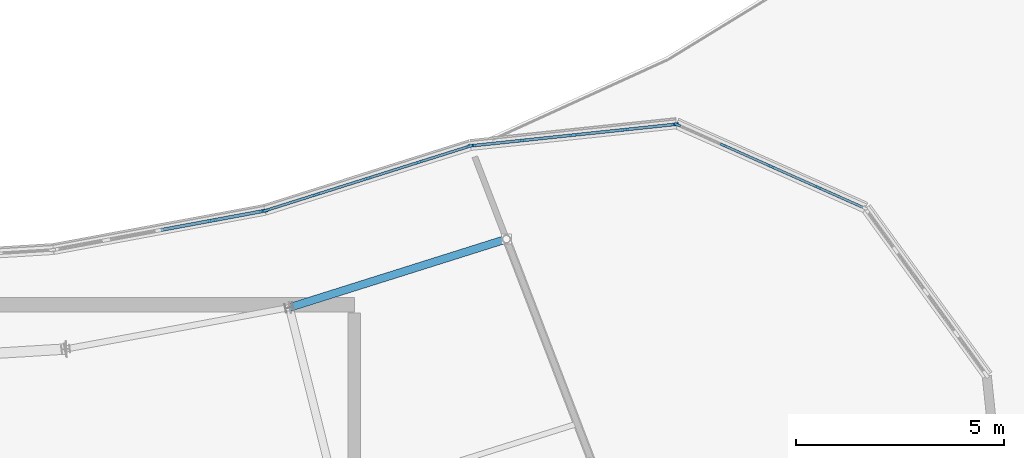
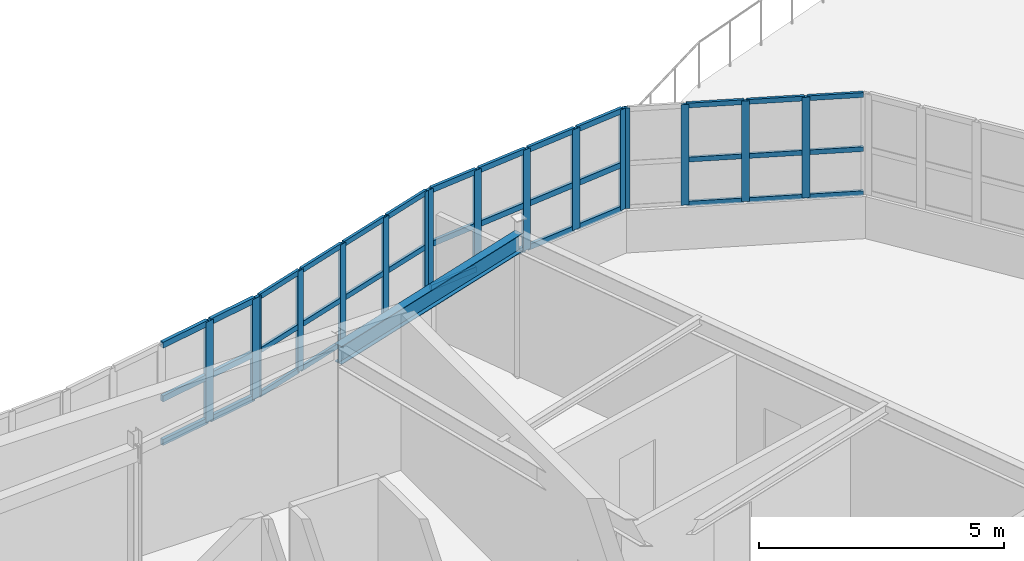
# One storey, part 22 of 65: 55 members, 1 beam, 4 elements without a shape of their own.
"""IFC4 building model written with IfcOpenShell, lengths in metres."""

from ifc_helpers import new_model, si_unit, direction, frame, origin, origin_2d, place, context, subcontext, project, spatial, rectangle, i_section, extrude, material, layer, layer_set, material_profile, profile_set, type_object, element, aggregate, save


model = new_model("IFC4")

# Units and contexts
model_context = context("Model", 3, precision=1e-05, world=origin(), true_north=direction((0.0, 1.0)))
body_context = subcontext(model_context, "Body", "Model", "MODEL_VIEW")
ifc_project = project(units=[si_unit("LENGTHUNIT", "METRE"), si_unit("AREAUNIT", "SQUARE_METRE"), si_unit("VOLUMEUNIT", "CUBIC_METRE"), si_unit("PLANEANGLEUNIT", "RADIAN"), si_unit("MASSUNIT", "GRAM", prefix="KILO")], contexts=[model_context])

# Site, building, storey
site_placement = place(None, origin())
site = spatial("IfcSite", under=ifc_project, at=site_placement, CompositionType="ELEMENT")
building_placement = place(site_placement, origin())
building = spatial("IfcBuilding", under=site, at=building_placement, Name="Tarnwether General Hospital", CompositionType="ELEMENT")
storey_placement = place(building_placement, frame((0.0, 0.0, 22.199951171875)))
storey = spatial("IfcBuildingStorey", under=building, at=storey_placement, Name="L05", CompositionType="ELEMENT", Elevation=22.199951171875)

# Beam
ifc_material_1 = material(Name="Steel Grade 350 (350 MPa)", Category="steel")
ifc_material_profile_1 = material_profile(ifc_material_1, i_section(OverallWidth=0.18994140625, OverallDepth=0.4541015625, WebThickness=0.008544921875, FlangeThickness=0.0126953125, at=origin_2d()), Name="460UB67.1")
ifc_profile_set_1 = profile_set([ifc_material_profile_1], Name="Steel Grade 350 (350 MPa)")
beam_type = type_object("IfcBeamType", Name="BM-SP1", PredefinedType="SPANDREL", material=ifc_profile_set_1)
beam_placement = place(storey_placement, frame((102.837890625, 19.531005859375, 3.3330078125), z_axis=(0.953712084488, 0.300721232874, 0.0), x_axis=(-0.300721232874, 0.953712084488, 0.0)))
element("IfcBeam", 1, at=beam_placement, inside=storey, type_object=beam_type, Name="Curved Ward SE Inner Spandrel BMG-L05-10284_1953-10806_2118-2189", PredefinedType="SPANDREL", context=body_context, shape_type="SweptSolid", body=[
    extrude(i_section(OverallWidth=0.18994140625, OverallDepth=0.4541015625, WebThickness=0.008544921875, FlangeThickness=0.0126953125, at=origin_2d()), origin(), (0.0, 0.0, 1.0), 5.47021484375),
])

# Curtain wall, members
ifc_material_2 = material(Name="Anodised aluminium", Category="aluminium")
ifc_layer = layer(ifc_material_2, 0.159912109375)
ifc_layer_set = layer_set([ifc_layer], Name="Anodised aluminium")
curtain_wall_type = type_object("IfcCurtainWallType", Name="CW-04", PredefinedType="NOTDEFINED", material=ifc_layer_set)
curtain_wall_1_placement = place(storey_placement, origin())
curtain_wall_1 = element("IfcCurtainWall", 2, at=curtain_wall_1_placement, inside=storey, type_object=curtain_wall_type, Name="Curtain Wall CWG-L05-1121_239-0229", PredefinedType="NOTDEFINED")
ifc_material_3 = material(Name="Anodised aluminium", Category="aluminium")
ifc_material_profile_2 = material_profile(ifc_material_3, rectangle(XDim=0.06005859375, YDim=0.159912109375, at=origin_2d()), Name="ALU-MUL-60x160")
ifc_profile_set_2 = profile_set([ifc_material_profile_2], Name="Anodised aluminium")
member_type_1 = type_object("IfcMemberType", Name="CW-ML1", PredefinedType="MULLION", material=ifc_profile_set_2)
member_1_placement = place(storey_placement, frame((112.164306640625, 23.923828125, 1.050048828125), z_axis=(0.0, 0.0, 1.0), x_axis=(0.406847766484, 0.913495974215, 0.0)))
member_1 = element("IfcMember", 3, at=member_1_placement, type_object=member_type_1, Name="CW-04 mullion 1", PredefinedType="MULLION", context=body_context, shape_type="SweptSolid", body=[
    extrude(rectangle(XDim=0.06005859375, YDim=0.159912109375, at=origin_2d()), origin(), (0.0, 0.0, 1.0), 2.510009765625),
])
member_2_placement = place(storey_placement, frame((113.27197265625, 23.430419921875, 1.050048828125), z_axis=(0.0, 0.0, 1.0), x_axis=(0.406847766484, 0.913495974215, 0.0)))
member_2 = element("IfcMember", 4, at=member_2_placement, type_object=member_type_1, Name="CW-04 mullion 2", PredefinedType="MULLION", context=body_context, shape_type="SweptSolid", body=[
    extrude(rectangle(XDim=0.06005859375, YDim=0.159912109375, at=origin_2d()), origin(), (0.0, 0.0, 1.0), 2.510009765625),
])
member_3_placement = place(storey_placement, frame((114.406982421875, 22.925048828125, 1.050048828125), z_axis=(0.0, 0.0, 1.0), x_axis=(0.406847766484, 0.913495974215, 0.0)))
member_3 = element("IfcMember", 5, at=member_3_placement, type_object=member_type_1, Name="CW-04 mullion 3", PredefinedType="MULLION", context=body_context, shape_type="SweptSolid", body=[
    extrude(rectangle(XDim=0.06005859375, YDim=0.159912109375, at=origin_2d()), origin(), (0.0, 0.0, 1.0), 2.510009765625),
])
member_4_placement = place(storey_placement, frame((115.5419921875, 22.41943359375, 1.050048828125), z_axis=(0.0, 0.0, 1.0), x_axis=(0.406847766484, 0.913495974215, 0.0)))
member_4 = element("IfcMember", 6, at=member_4_placement, type_object=member_type_1, Name="CW-04 mullion 4", PredefinedType="MULLION", context=body_context, shape_type="SweptSolid", body=[
    extrude(rectangle(XDim=0.06005859375, YDim=0.159912109375, at=origin_2d()), origin(), (0.0, 0.0, 1.0), 2.510009765625),
])

curtain_wall_2_placement = place(storey_placement, origin())
curtain_wall_2 = element("IfcCurtainWall", 7, at=curtain_wall_2_placement, inside=storey, type_object=curtain_wall_type, Name="Curtain Wall CWG-L05-1072_234-0230", PredefinedType="NOTDEFINED")
ifc_material_4 = material(Name="Anodised aluminium", Category="aluminium")
ifc_material_profile_3 = material_profile(ifc_material_4, rectangle(XDim=0.070068359375, YDim=0.179931640625, at=origin_2d()), Name="ALU-MUL-70x180")
ifc_profile_set_3 = profile_set([ifc_material_profile_3], Name="Anodised aluminium")
member_type_2 = type_object("IfcMemberType", Name="CW-ML2", PredefinedType="MULLION", material=ifc_profile_set_3)
member_5_placement = place(storey_placement, frame((107.229736328125, 23.419677734375, 1.050048828125), z_axis=(0.0, 0.0, 1.0), x_axis=(-0.104642883163, 0.994509862698, 0.0)))
member_5 = element("IfcMember", 8, at=member_5_placement, type_object=member_type_2, Name="CW-04 mullion 1", PredefinedType="MULLION", context=body_context, shape_type="SweptSolid", body=[
    extrude(rectangle(XDim=0.070068359375, YDim=0.179931640625, at=origin_2d()), origin(), (0.0, 0.0, 1.0), 2.510009765625),
])
member_6_placement = place(storey_placement, frame((108.430419921875, 23.5458984375, 1.050048828125), z_axis=(0.0, 0.0, 1.0), x_axis=(-0.104642883163, 0.994509862698, 0.0)))
member_6 = element("IfcMember", 9, at=member_6_placement, type_object=member_type_2, Name="CW-04 mullion 2", PredefinedType="MULLION", context=body_context, shape_type="SweptSolid", body=[
    extrude(rectangle(XDim=0.070068359375, YDim=0.179931640625, at=origin_2d()), origin(), (0.0, 0.0, 1.0), 2.510009765625),
])
member_7_placement = place(storey_placement, frame((109.666015625, 23.676025390625, 1.050048828125), z_axis=(0.0, 0.0, 1.0), x_axis=(-0.104642883163, 0.994509862698, 0.0)))
member_7 = element("IfcMember", 10, at=member_7_placement, type_object=member_type_2, Name="CW-04 mullion 3", PredefinedType="MULLION", context=body_context, shape_type="SweptSolid", body=[
    extrude(rectangle(XDim=0.070068359375, YDim=0.179931640625, at=origin_2d()), origin(), (0.0, 0.0, 1.0), 2.510009765625),
])
member_8_placement = place(storey_placement, frame((110.901611328125, 23.805908203125, 1.050048828125), z_axis=(0.0, 0.0, 1.0), x_axis=(-0.104642883163, 0.994509862698, 0.0)))
member_8 = element("IfcMember", 11, at=member_8_placement, type_object=member_type_2, Name="CW-04 mullion 4", PredefinedType="MULLION", context=body_context, shape_type="SweptSolid", body=[
    extrude(rectangle(XDim=0.070068359375, YDim=0.179931640625, at=origin_2d()), origin(), (0.0, 0.0, 1.0), 2.510009765625),
])
member_9_placement = place(storey_placement, frame((112.102294921875, 23.932373046875, 1.050048828125), z_axis=(0.0, 0.0, 1.0), x_axis=(-0.104642883163, 0.994509862698, 0.0)))
member_9 = element("IfcMember", 12, at=member_9_placement, type_object=member_type_2, Name="CW-04 mullion 5", PredefinedType="MULLION", context=body_context, shape_type="SweptSolid", body=[
    extrude(rectangle(XDim=0.070068359375, YDim=0.179931640625, at=origin_2d()), origin(), (0.0, 0.0, 1.0), 2.510009765625),
])

curtain_wall_3_placement = place(storey_placement, origin())
curtain_wall_3 = element("IfcCurtainWall", 13, at=curtain_wall_3_placement, inside=storey, type_object=curtain_wall_type, Name="Curtain Wall CWG-L05-1023_219-0231", PredefinedType="NOTDEFINED")
ifc_material_5 = material(Name="Anodised aluminium", Category="aluminium")
ifc_material_profile_4 = material_profile(ifc_material_5, rectangle(XDim=0.06494140625, YDim=0.169921875, at=origin_2d()), Name="ALU-MUL-65x170")
ifc_profile_set_4 = profile_set([ifc_material_profile_4], Name="Anodised aluminium")
member_type_3 = type_object("IfcMemberType", Name="CW-ML3", PredefinedType="MULLION", material=ifc_profile_set_4)
member_10_placement = place(storey_placement, frame((102.2880859375, 21.86865234375, 1.050048828125), z_axis=(0.0, 0.0, 1.0), x_axis=(-0.30071538783, 0.953713927508, 0.0)))
member_10 = element("IfcMember", 14, at=member_10_placement, type_object=member_type_3, Name="CW-04 mullion 1", PredefinedType="MULLION", context=body_context, shape_type="SweptSolid", body=[
    extrude(rectangle(XDim=0.06494140625, YDim=0.169921875, at=origin_2d()), origin(), (0.0, 0.0, 1.0), 2.510009765625),
])
member_11_placement = place(storey_placement, frame((103.491455078125, 22.248291015625, 1.050048828125), z_axis=(0.0, 0.0, 1.0), x_axis=(-0.30071538783, 0.953713927508, 0.0)))
member_11 = element("IfcMember", 15, at=member_11_placement, type_object=member_type_3, Name="CW-04 mullion 2", PredefinedType="MULLION", context=body_context, shape_type="SweptSolid", body=[
    extrude(rectangle(XDim=0.06494140625, YDim=0.169921875, at=origin_2d()), origin(), (0.0, 0.0, 1.0), 2.510009765625),
])
member_12_placement = place(storey_placement, frame((104.72607421875, 22.637451171875, 1.050048828125), z_axis=(0.0, 0.0, 1.0), x_axis=(-0.30071538783, 0.953713927508, 0.0)))
member_12 = element("IfcMember", 16, at=member_12_placement, type_object=member_type_3, Name="CW-04 mullion 3", PredefinedType="MULLION", context=body_context, shape_type="SweptSolid", body=[
    extrude(rectangle(XDim=0.06494140625, YDim=0.169921875, at=origin_2d()), origin(), (0.0, 0.0, 1.0), 2.510009765625),
])
member_13_placement = place(storey_placement, frame((105.96044921875, 23.02685546875, 1.050048828125), z_axis=(0.0, 0.0, 1.0), x_axis=(-0.30071538783, 0.953713927508, 0.0)))
member_13 = element("IfcMember", 17, at=member_13_placement, type_object=member_type_3, Name="CW-04 mullion 4", PredefinedType="MULLION", context=body_context, shape_type="SweptSolid", body=[
    extrude(rectangle(XDim=0.06494140625, YDim=0.169921875, at=origin_2d()), origin(), (0.0, 0.0, 1.0), 2.510009765625),
])
member_14_placement = place(storey_placement, frame((107.1640625, 23.40625, 1.050048828125), z_axis=(0.0, 0.0, 1.0), x_axis=(-0.30071538783, 0.953713927508, 0.0)))
member_14 = element("IfcMember", 18, at=member_14_placement, type_object=member_type_3, Name="CW-04 mullion 5", PredefinedType="MULLION", context=body_context, shape_type="SweptSolid", body=[
    extrude(rectangle(XDim=0.06494140625, YDim=0.169921875, at=origin_2d()), origin(), (0.0, 0.0, 1.0), 2.510009765625),
])

curtain_wall_4_placement = place(storey_placement, origin())
curtain_wall_4 = element("IfcCurtainWall", 19, at=curtain_wall_4_placement, inside=storey, type_object=curtain_wall_type, Name="Curtain Wall CWG-L05-972_209-0232", PredefinedType="NOTDEFINED")
ifc_material_6 = material(Name="Anodised aluminium", Category="aluminium")
ifc_material_profile_5 = material_profile(ifc_material_6, rectangle(XDim=0.080078125, YDim=0.199951171875, at=origin_2d()), Name="ALU-MUL-80x200")
ifc_profile_set_5 = profile_set([ifc_material_profile_5], Name="Anodised aluminium")
member_type_4 = type_object("IfcMemberType", Name="CW-ML4", PredefinedType="MULLION", material=ifc_profile_set_5)
member_15_placement = place(storey_placement, frame((100.984619140625, 21.623291015625, 1.050048828125), z_axis=(0.0, 0.0, 1.0), x_axis=(-0.182165351666, 0.983267910924, 0.0)))
member_15 = element("IfcMember", 20, at=member_15_placement, type_object=member_type_4, Name="CW-04 mullion 4", PredefinedType="MULLION", context=body_context, shape_type="SweptSolid", body=[
    extrude(rectangle(XDim=0.080078125, YDim=0.199951171875, at=origin_2d()), origin(), (0.0, 0.0, 1.0), 2.510009765625),
])
member_16_placement = place(storey_placement, frame((102.2177734375, 21.851806640625, 1.050048828125), z_axis=(0.0, 0.0, 1.0), x_axis=(-0.182165351666, 0.983267910924, 0.0)))
member_16 = element("IfcMember", 21, at=member_16_placement, type_object=member_type_4, Name="CW-04 mullion 5", PredefinedType="MULLION", context=body_context, shape_type="SweptSolid", body=[
    extrude(rectangle(XDim=0.080078125, YDim=0.199951171875, at=origin_2d()), origin(), (0.0, 0.0, 1.0), 2.510009765625),
])

# Member
ifc_material_7 = material(Name="Anodised aluminium", Category="aluminium")
ifc_material_profile_6 = material_profile(ifc_material_7, rectangle(XDim=0.06005859375, YDim=0.1201171875, at=origin_2d()), Name="ALU-TRN-60x120")
ifc_profile_set_6 = profile_set([ifc_material_profile_6], Name="Anodised aluminium")
member_type_5 = type_object("IfcMemberType", Name="CW-TR1", PredefinedType="USERDEFINED", material=ifc_profile_set_6)
member_17_placement = place(storey_placement, frame((113.29931640625, 23.418212890625, 1.080078125), z_axis=(0.913555961752, -0.406713049639, 0.0), x_axis=(0.406713049639, 0.913555961752, 0.0)))
member_17 = element("IfcMember", 22, at=member_17_placement, type_object=member_type_5, Name="CW-04 transom 2.1", ObjectType="TRANSOM", PredefinedType="USERDEFINED", context=body_context, shape_type="SweptSolid", body=[
    extrude(rectangle(XDim=0.06005859375, YDim=0.1201171875, at=origin_2d()), origin(), (0.0, 0.0, 1.0), 1.1826171875),
])

member_18_placement = place(storey_placement, frame((113.29931640625, 23.418212890625, 2.179443359375), z_axis=(0.913555961752, -0.406713049639, 0.0), x_axis=(0.406713049639, 0.913555961752, 0.0)))
member_18 = element("IfcMember", 23, at=member_18_placement, type_object=member_type_5, Name="CW-04 transom 2.2", ObjectType="TRANSOM", PredefinedType="USERDEFINED", context=body_context, shape_type="SweptSolid", body=[
    extrude(rectangle(XDim=0.06005859375, YDim=0.1201171875, at=origin_2d()), origin(), (0.0, 0.0, 1.0), 1.1826171875),
])

member_19_placement = place(storey_placement, frame((113.29931640625, 23.418212890625, 3.530029296875), z_axis=(0.913555961752, -0.406713049639, 0.0), x_axis=(0.406713049639, 0.913555961752, 0.0)))
member_19 = element("IfcMember", 24, at=member_19_placement, type_object=member_type_5, Name="CW-04 transom 2.3", ObjectType="TRANSOM", PredefinedType="USERDEFINED", context=body_context, shape_type="SweptSolid", body=[
    extrude(rectangle(XDim=0.06005859375, YDim=0.1201171875, at=origin_2d()), origin(), (0.0, 0.0, 1.0), 1.1826171875),
])

member_20_placement = place(storey_placement, frame((114.434326171875, 22.912841796875, 1.080078125), z_axis=(0.913479243156, -0.40688533068, 0.0), x_axis=(0.40688533068, 0.913479243156, 0.0)))
member_20 = element("IfcMember", 25, at=member_20_placement, type_object=member_type_5, Name="CW-04 transom 3.1", ObjectType="TRANSOM", PredefinedType="USERDEFINED", context=body_context, shape_type="SweptSolid", body=[
    extrude(rectangle(XDim=0.06005859375, YDim=0.1201171875, at=origin_2d()), origin(), (0.0, 0.0, 1.0), 1.1826171875),
])

member_21_placement = place(storey_placement, frame((114.434326171875, 22.912841796875, 2.179443359375), z_axis=(0.913479243156, -0.40688533068, 0.0), x_axis=(0.40688533068, 0.913479243156, 0.0)))
member_21 = element("IfcMember", 26, at=member_21_placement, type_object=member_type_5, Name="CW-04 transom 3.2", ObjectType="TRANSOM", PredefinedType="USERDEFINED", context=body_context, shape_type="SweptSolid", body=[
    extrude(rectangle(XDim=0.06005859375, YDim=0.1201171875, at=origin_2d()), origin(), (0.0, 0.0, 1.0), 1.1826171875),
])

member_22_placement = place(storey_placement, frame((114.434326171875, 22.912841796875, 3.530029296875), z_axis=(0.913479243156, -0.40688533068, 0.0), x_axis=(0.40688533068, 0.913479243156, 0.0)))
member_22 = element("IfcMember", 27, at=member_22_placement, type_object=member_type_5, Name="CW-04 transom 3.3", ObjectType="TRANSOM", PredefinedType="USERDEFINED", context=body_context, shape_type="SweptSolid", body=[
    extrude(rectangle(XDim=0.06005859375, YDim=0.1201171875, at=origin_2d()), origin(), (0.0, 0.0, 1.0), 1.1826171875),
])

member_23_placement = place(storey_placement, frame((115.5693359375, 22.4072265625, 1.080078125), z_axis=(0.913531766909, -0.406767391574, 0.0), x_axis=(0.406767391574, 0.913531766909, 0.0)))
member_23 = element("IfcMember", 28, at=member_23_placement, type_object=member_type_5, Name="CW-04 transom 4.1", ObjectType="TRANSOM", PredefinedType="USERDEFINED", context=body_context, shape_type="SweptSolid", body=[
    extrude(rectangle(XDim=0.06005859375, YDim=0.1201171875, at=origin_2d()), origin(), (0.0, 0.0, 1.0), 1.15234375),
])

member_24_placement = place(storey_placement, frame((115.5693359375, 22.4072265625, 2.179443359375), z_axis=(0.913531766909, -0.406767391574, 0.0), x_axis=(0.406767391574, 0.913531766909, 0.0)))
member_24 = element("IfcMember", 29, at=member_24_placement, type_object=member_type_5, Name="CW-04 transom 4.2", ObjectType="TRANSOM", PredefinedType="USERDEFINED", context=body_context, shape_type="SweptSolid", body=[
    extrude(rectangle(XDim=0.06005859375, YDim=0.1201171875, at=origin_2d()), origin(), (0.0, 0.0, 1.0), 1.15234375),
])

member_25_placement = place(storey_placement, frame((115.5693359375, 22.4072265625, 3.530029296875), z_axis=(0.913531766909, -0.406767391574, 0.0), x_axis=(0.406767391574, 0.913531766909, 0.0)))
member_25 = element("IfcMember", 30, at=member_25_placement, type_object=member_type_5, Name="CW-04 transom 4.3", ObjectType="TRANSOM", PredefinedType="USERDEFINED", context=body_context, shape_type="SweptSolid", body=[
    extrude(rectangle(XDim=0.06005859375, YDim=0.1201171875, at=origin_2d()), origin(), (0.0, 0.0, 1.0), 1.15234375),
])

aggregate(curtain_wall_1, [member_1, member_2, member_3, member_4, member_17, member_18, member_19, member_20, member_21, member_22, member_23, member_24, member_25])

ifc_material_8 = material(Name="Anodised aluminium", Category="aluminium")
ifc_material_profile_7 = material_profile(ifc_material_8, rectangle(XDim=0.070068359375, YDim=0.139892578125, at=origin_2d()), Name="ALU-TRN-70x140")
ifc_profile_set_7 = profile_set([ifc_material_profile_7], Name="Anodised aluminium")
member_type_6 = type_object("IfcMemberType", Name="CW-TR2", PredefinedType="USERDEFINED", material=ifc_profile_set_7)
member_26_placement = place(storey_placement, frame((107.2646484375, 23.42333984375, 1.0849609375), z_axis=(0.994520733176, 0.104539520194, 0.0), x_axis=(-0.104539520194, 0.994520733176, 0.0)))
member_26 = element("IfcMember", 31, at=member_26_placement, type_object=member_type_6, Name="CW-04 transom 1.1", ObjectType="TRANSOM", PredefinedType="USERDEFINED", context=body_context, shape_type="SweptSolid", body=[
    extrude(rectangle(XDim=0.070068359375, YDim=0.139892578125, at=origin_2d()), origin(), (0.0, 0.0, 1.0), 1.137451171875),
])

member_27_placement = place(storey_placement, frame((107.2646484375, 23.42333984375, 2.179443359375), z_axis=(0.994520733176, 0.104539520194, 0.0), x_axis=(-0.104539520194, 0.994520733176, 0.0)))
member_27 = element("IfcMember", 32, at=member_27_placement, type_object=member_type_6, Name="CW-04 transom 1.2", ObjectType="TRANSOM", PredefinedType="USERDEFINED", context=body_context, shape_type="SweptSolid", body=[
    extrude(rectangle(XDim=0.070068359375, YDim=0.139892578125, at=origin_2d()), origin(), (0.0, 0.0, 1.0), 1.137451171875),
])

member_28_placement = place(storey_placement, frame((107.2646484375, 23.42333984375, 3.525146484375), z_axis=(0.994520733176, 0.104539520194, 0.0), x_axis=(-0.104539520194, 0.994520733176, 0.0)))
member_28 = element("IfcMember", 33, at=member_28_placement, type_object=member_type_6, Name="CW-04 transom 1.3", ObjectType="TRANSOM", PredefinedType="USERDEFINED", context=body_context, shape_type="SweptSolid", body=[
    extrude(rectangle(XDim=0.070068359375, YDim=0.139892578125, at=origin_2d()), origin(), (0.0, 0.0, 1.0), 1.137451171875),
])

member_29_placement = place(storey_placement, frame((108.46533203125, 23.549560546875, 1.0849609375), z_axis=(0.994497461521, 0.104760675004, 0.0), x_axis=(-0.104760675004, 0.994497461521, 0.0)))
member_29 = element("IfcMember", 34, at=member_29_placement, type_object=member_type_6, Name="CW-04 transom 2.1", ObjectType="TRANSOM", PredefinedType="USERDEFINED", context=body_context, shape_type="SweptSolid", body=[
    extrude(rectangle(XDim=0.070068359375, YDim=0.139892578125, at=origin_2d()), origin(), (0.0, 0.0, 1.0), 1.172119140625),
])

member_30_placement = place(storey_placement, frame((108.46533203125, 23.549560546875, 2.179443359375), z_axis=(0.994497461521, 0.104760675004, 0.0), x_axis=(-0.104760675004, 0.994497461521, 0.0)))
member_30 = element("IfcMember", 35, at=member_30_placement, type_object=member_type_6, Name="CW-04 transom 2.2", ObjectType="TRANSOM", PredefinedType="USERDEFINED", context=body_context, shape_type="SweptSolid", body=[
    extrude(rectangle(XDim=0.070068359375, YDim=0.139892578125, at=origin_2d()), origin(), (0.0, 0.0, 1.0), 1.172119140625),
])

member_31_placement = place(storey_placement, frame((108.46533203125, 23.549560546875, 3.525146484375), z_axis=(0.994497461521, 0.104760675004, 0.0), x_axis=(-0.104760675004, 0.994497461521, 0.0)))
member_31 = element("IfcMember", 36, at=member_31_placement, type_object=member_type_6, Name="CW-04 transom 2.3", ObjectType="TRANSOM", PredefinedType="USERDEFINED", context=body_context, shape_type="SweptSolid", body=[
    extrude(rectangle(XDim=0.070068359375, YDim=0.139892578125, at=origin_2d()), origin(), (0.0, 0.0, 1.0), 1.172119140625),
])

member_32_placement = place(storey_placement, frame((109.700927734375, 23.6796875, 1.0849609375), z_axis=(0.994519139289, 0.104554682288, 0.0), x_axis=(-0.104554682288, 0.994519139289, 0.0)))
member_32 = element("IfcMember", 37, at=member_32_placement, type_object=member_type_6, Name="CW-04 transom 3.1", ObjectType="TRANSOM", PredefinedType="USERDEFINED", context=body_context, shape_type="SweptSolid", body=[
    extrude(rectangle(XDim=0.070068359375, YDim=0.139892578125, at=origin_2d()), origin(), (0.0, 0.0, 1.0), 1.172119140625),
])

member_33_placement = place(storey_placement, frame((109.700927734375, 23.6796875, 2.179443359375), z_axis=(0.994519139289, 0.104554682288, 0.0), x_axis=(-0.104554682288, 0.994519139289, 0.0)))
member_33 = element("IfcMember", 38, at=member_33_placement, type_object=member_type_6, Name="CW-04 transom 3.2", ObjectType="TRANSOM", PredefinedType="USERDEFINED", context=body_context, shape_type="SweptSolid", body=[
    extrude(rectangle(XDim=0.070068359375, YDim=0.139892578125, at=origin_2d()), origin(), (0.0, 0.0, 1.0), 1.172119140625),
])

member_34_placement = place(storey_placement, frame((109.700927734375, 23.6796875, 3.525146484375), z_axis=(0.994519139289, 0.104554682288, 0.0), x_axis=(-0.104554682288, 0.994519139289, 0.0)))
member_34 = element("IfcMember", 39, at=member_34_placement, type_object=member_type_6, Name="CW-04 transom 3.3", ObjectType="TRANSOM", PredefinedType="USERDEFINED", context=body_context, shape_type="SweptSolid", body=[
    extrude(rectangle(XDim=0.070068359375, YDim=0.139892578125, at=origin_2d()), origin(), (0.0, 0.0, 1.0), 1.172119140625),
])

member_35_placement = place(storey_placement, frame((110.936279296875, 23.8095703125, 1.0849609375), z_axis=(0.994498393498, 0.104751827332, 0.0), x_axis=(-0.104751827332, 0.994498393498, 0.0)))
member_35 = element("IfcMember", 40, at=member_35_placement, type_object=member_type_6, Name="CW-04 transom 4.1", ObjectType="TRANSOM", PredefinedType="USERDEFINED", context=body_context, shape_type="SweptSolid", body=[
    extrude(rectangle(XDim=0.070068359375, YDim=0.139892578125, at=origin_2d()), origin(), (0.0, 0.0, 1.0), 1.137451171875),
])

member_36_placement = place(storey_placement, frame((110.936279296875, 23.8095703125, 2.179443359375), z_axis=(0.994498393498, 0.104751827332, 0.0), x_axis=(-0.104751827332, 0.994498393498, 0.0)))
member_36 = element("IfcMember", 41, at=member_36_placement, type_object=member_type_6, Name="CW-04 transom 4.2", ObjectType="TRANSOM", PredefinedType="USERDEFINED", context=body_context, shape_type="SweptSolid", body=[
    extrude(rectangle(XDim=0.070068359375, YDim=0.139892578125, at=origin_2d()), origin(), (0.0, 0.0, 1.0), 1.137451171875),
])

member_37_placement = place(storey_placement, frame((110.936279296875, 23.8095703125, 3.525146484375), z_axis=(0.994498393498, 0.104751827332, 0.0), x_axis=(-0.104751827332, 0.994498393498, 0.0)))
member_37 = element("IfcMember", 42, at=member_37_placement, type_object=member_type_6, Name="CW-04 transom 4.3", ObjectType="TRANSOM", PredefinedType="USERDEFINED", context=body_context, shape_type="SweptSolid", body=[
    extrude(rectangle(XDim=0.070068359375, YDim=0.139892578125, at=origin_2d()), origin(), (0.0, 0.0, 1.0), 1.137451171875),
])

aggregate(curtain_wall_2, [member_5, member_6, member_7, member_8, member_9, member_26, member_27, member_28, member_29, member_30, member_31, member_32, member_33, member_34, member_35, member_36, member_37])

ifc_material_9 = material(Name="Anodised aluminium", Category="aluminium")
ifc_material_profile_8 = material_profile(ifc_material_9, rectangle(XDim=0.06494140625, YDim=0.1298828125, at=origin_2d()), Name="ALU-TRN-65x130")
ifc_profile_set_8 = profile_set([ifc_material_profile_8], Name="Anodised aluminium")
member_type_7 = type_object("IfcMemberType", Name="CW-TR3", PredefinedType="USERDEFINED", material=ifc_profile_set_8)
member_38_placement = place(storey_placement, frame((102.319091796875, 21.878662109375, 1.08251953125), z_axis=(0.953718228392, 0.300701747305, 0.0), x_axis=(-0.300701747305, 0.953718228392, 0.0)))
member_38 = element("IfcMember", 43, at=member_38_placement, type_object=member_type_7, Name="CW-04 transom 1.1", ObjectType="TRANSOM", PredefinedType="USERDEFINED", context=body_context, shape_type="SweptSolid", body=[
    extrude(rectangle(XDim=0.06494140625, YDim=0.1298828125, at=origin_2d()), origin(), (0.0, 0.0, 1.0), 1.19677734375),
])

member_39_placement = place(storey_placement, frame((102.319091796875, 21.878662109375, 2.179443359375), z_axis=(0.953718228392, 0.300701747305, 0.0), x_axis=(-0.300701747305, 0.953718228392, 0.0)))
member_39 = element("IfcMember", 44, at=member_39_placement, type_object=member_type_7, Name="CW-04 transom 1.2", ObjectType="TRANSOM", PredefinedType="USERDEFINED", context=body_context, shape_type="SweptSolid", body=[
    extrude(rectangle(XDim=0.06494140625, YDim=0.1298828125, at=origin_2d()), origin(), (0.0, 0.0, 1.0), 1.19677734375),
])

member_40_placement = place(storey_placement, frame((102.319091796875, 21.878662109375, 3.527587890625), z_axis=(0.953718228392, 0.300701747305, 0.0), x_axis=(-0.300701747305, 0.953718228392, 0.0)))
member_40 = element("IfcMember", 45, at=member_40_placement, type_object=member_type_7, Name="CW-04 transom 1.3", ObjectType="TRANSOM", PredefinedType="USERDEFINED", context=body_context, shape_type="SweptSolid", body=[
    extrude(rectangle(XDim=0.06494140625, YDim=0.1298828125, at=origin_2d()), origin(), (0.0, 0.0, 1.0), 1.19677734375),
])

member_41_placement = place(storey_placement, frame((103.5224609375, 22.258056640625, 1.08251953125), z_axis=(0.953738593223, 0.300637149727, 0.0), x_axis=(-0.300637149727, 0.953738593223, 0.0)))
member_41 = element("IfcMember", 46, at=member_41_placement, type_object=member_type_7, Name="CW-04 transom 2.1", ObjectType="TRANSOM", PredefinedType="USERDEFINED", context=body_context, shape_type="SweptSolid", body=[
    extrude(rectangle(XDim=0.06494140625, YDim=0.1298828125, at=origin_2d()), origin(), (0.0, 0.0, 1.0), 1.2294921875),
])

member_42_placement = place(storey_placement, frame((103.5224609375, 22.258056640625, 2.179443359375), z_axis=(0.953738593223, 0.300637149727, 0.0), x_axis=(-0.300637149727, 0.953738593223, 0.0)))
member_42 = element("IfcMember", 47, at=member_42_placement, type_object=member_type_7, Name="CW-04 transom 2.2", ObjectType="TRANSOM", PredefinedType="USERDEFINED", context=body_context, shape_type="SweptSolid", body=[
    extrude(rectangle(XDim=0.06494140625, YDim=0.1298828125, at=origin_2d()), origin(), (0.0, 0.0, 1.0), 1.2294921875),
])

member_43_placement = place(storey_placement, frame((103.5224609375, 22.258056640625, 3.527587890625), z_axis=(0.953738593223, 0.300637149727, 0.0), x_axis=(-0.300637149727, 0.953738593223, 0.0)))
member_43 = element("IfcMember", 48, at=member_43_placement, type_object=member_type_7, Name="CW-04 transom 2.3", ObjectType="TRANSOM", PredefinedType="USERDEFINED", context=body_context, shape_type="SweptSolid", body=[
    extrude(rectangle(XDim=0.06494140625, YDim=0.1298828125, at=origin_2d()), origin(), (0.0, 0.0, 1.0), 1.2294921875),
])

member_44_placement = place(storey_placement, frame((104.757080078125, 22.647216796875, 1.08251953125), z_axis=(0.953663670259, 0.300874731454, 0.0), x_axis=(-0.300874731454, 0.953663670259, 0.0)))
member_44 = element("IfcMember", 49, at=member_44_placement, type_object=member_type_7, Name="CW-04 transom 3.1", ObjectType="TRANSOM", PredefinedType="USERDEFINED", context=body_context, shape_type="SweptSolid", body=[
    extrude(rectangle(XDim=0.06494140625, YDim=0.1298828125, at=origin_2d()), origin(), (0.0, 0.0, 1.0), 1.229248046875),
])

member_45_placement = place(storey_placement, frame((104.757080078125, 22.647216796875, 2.179443359375), z_axis=(0.953663670259, 0.300874731454, 0.0), x_axis=(-0.300874731454, 0.953663670259, 0.0)))
member_45 = element("IfcMember", 50, at=member_45_placement, type_object=member_type_7, Name="CW-04 transom 3.2", ObjectType="TRANSOM", PredefinedType="USERDEFINED", context=body_context, shape_type="SweptSolid", body=[
    extrude(rectangle(XDim=0.06494140625, YDim=0.1298828125, at=origin_2d()), origin(), (0.0, 0.0, 1.0), 1.229248046875),
])

member_46_placement = place(storey_placement, frame((104.757080078125, 22.647216796875, 3.527587890625), z_axis=(0.953663670259, 0.300874731454, 0.0), x_axis=(-0.300874731454, 0.953663670259, 0.0)))
member_46 = element("IfcMember", 51, at=member_46_placement, type_object=member_type_7, Name="CW-04 transom 3.3", ObjectType="TRANSOM", PredefinedType="USERDEFINED", context=body_context, shape_type="SweptSolid", body=[
    extrude(rectangle(XDim=0.06494140625, YDim=0.1298828125, at=origin_2d()), origin(), (0.0, 0.0, 1.0), 1.229248046875),
])

member_47_placement = place(storey_placement, frame((105.991455078125, 23.03662109375, 1.08251953125), z_axis=(0.953736669357, 0.300643252915, 0.0), x_axis=(-0.300643252915, 0.953736669357, 0.0)))
member_47 = element("IfcMember", 52, at=member_47_placement, type_object=member_type_7, Name="CW-04 transom 4.1", ObjectType="TRANSOM", PredefinedType="USERDEFINED", context=body_context, shape_type="SweptSolid", body=[
    extrude(rectangle(XDim=0.06494140625, YDim=0.1298828125, at=origin_2d()), origin(), (0.0, 0.0, 1.0), 1.197021484375),
])

member_48_placement = place(storey_placement, frame((105.991455078125, 23.03662109375, 2.179443359375), z_axis=(0.953736669357, 0.300643252915, 0.0), x_axis=(-0.300643252915, 0.953736669357, 0.0)))
member_48 = element("IfcMember", 53, at=member_48_placement, type_object=member_type_7, Name="CW-04 transom 4.2", ObjectType="TRANSOM", PredefinedType="USERDEFINED", context=body_context, shape_type="SweptSolid", body=[
    extrude(rectangle(XDim=0.06494140625, YDim=0.1298828125, at=origin_2d()), origin(), (0.0, 0.0, 1.0), 1.197021484375),
])

member_49_placement = place(storey_placement, frame((105.991455078125, 23.03662109375, 3.527587890625), z_axis=(0.953736669357, 0.300643252915, 0.0), x_axis=(-0.300643252915, 0.953736669357, 0.0)))
member_49 = element("IfcMember", 54, at=member_49_placement, type_object=member_type_7, Name="CW-04 transom 4.3", ObjectType="TRANSOM", PredefinedType="USERDEFINED", context=body_context, shape_type="SweptSolid", body=[
    extrude(rectangle(XDim=0.06494140625, YDim=0.1298828125, at=origin_2d()), origin(), (0.0, 0.0, 1.0), 1.197021484375),
])

aggregate(curtain_wall_3, [member_10, member_11, member_12, member_13, member_14, member_38, member_39, member_40, member_41, member_42, member_43, member_44, member_45, member_46, member_47, member_48, member_49])

ifc_material_10 = material(Name="Anodised aluminium", Category="aluminium")
ifc_material_profile_9 = material_profile(ifc_material_10, rectangle(XDim=0.080078125, YDim=0.14990234375, at=origin_2d()), Name="ALU-TRN-80x150")
ifc_profile_set_9 = profile_set([ifc_material_profile_9], Name="Anodised aluminium")
member_type_8 = type_object("IfcMemberType", Name="CW-TR4", PredefinedType="USERDEFINED", material=ifc_profile_set_9)
member_50_placement = place(storey_placement, frame((99.751220703125, 21.394775390625, 1.090087890625), z_axis=(0.983266000374, 0.182175663873, 0.0), x_axis=(-0.182175663873, 0.983266000374, 0.0)))
member_50 = element("IfcMember", 55, at=member_50_placement, type_object=member_type_8, Name="CW-04 transom 3.1", ObjectType="TRANSOM", PredefinedType="USERDEFINED", context=body_context, shape_type="SweptSolid", body=[
    extrude(rectangle(XDim=0.080078125, YDim=0.14990234375, at=origin_2d()), origin(), (0.0, 0.0, 1.0), 1.214111328125),
])

member_51_placement = place(storey_placement, frame((99.751220703125, 21.394775390625, 2.179443359375), z_axis=(0.983266000374, 0.182175663873, 0.0), x_axis=(-0.182175663873, 0.983266000374, 0.0)))
member_51 = element("IfcMember", 56, at=member_51_placement, type_object=member_type_8, Name="CW-04 transom 3.2", ObjectType="TRANSOM", PredefinedType="USERDEFINED", context=body_context, shape_type="SweptSolid", body=[
    extrude(rectangle(XDim=0.080078125, YDim=0.14990234375, at=origin_2d()), origin(), (0.0, 0.0, 1.0), 1.214111328125),
])

member_52_placement = place(storey_placement, frame((99.751220703125, 21.394775390625, 3.52001953125), z_axis=(0.983266000374, 0.182175663873, 0.0), x_axis=(-0.182175663873, 0.983266000374, 0.0)))
member_52 = element("IfcMember", 57, at=member_52_placement, type_object=member_type_8, Name="CW-04 transom 3.3", ObjectType="TRANSOM", PredefinedType="USERDEFINED", context=body_context, shape_type="SweptSolid", body=[
    extrude(rectangle(XDim=0.080078125, YDim=0.14990234375, at=origin_2d()), origin(), (0.0, 0.0, 1.0), 1.214111328125),
])

member_53_placement = place(storey_placement, frame((101.02392578125, 21.630615234375, 1.090087890625), z_axis=(0.983265451868, 0.182178624331, 0.0), x_axis=(-0.182178624331, 0.983265451868, 0.0)))
member_53 = element("IfcMember", 58, at=member_53_placement, type_object=member_type_8, Name="CW-04 transom 4.1", ObjectType="TRANSOM", PredefinedType="USERDEFINED", context=body_context, shape_type="SweptSolid", body=[
    extrude(rectangle(XDim=0.080078125, YDim=0.14990234375, at=origin_2d()), origin(), (0.0, 0.0, 1.0), 1.173828125),
])

member_54_placement = place(storey_placement, frame((101.02392578125, 21.630615234375, 2.179443359375), z_axis=(0.983265451868, 0.182178624331, 0.0), x_axis=(-0.182178624331, 0.983265451868, 0.0)))
member_54 = element("IfcMember", 59, at=member_54_placement, type_object=member_type_8, Name="CW-04 transom 4.2", ObjectType="TRANSOM", PredefinedType="USERDEFINED", context=body_context, shape_type="SweptSolid", body=[
    extrude(rectangle(XDim=0.080078125, YDim=0.14990234375, at=origin_2d()), origin(), (0.0, 0.0, 1.0), 1.173828125),
])

member_55_placement = place(storey_placement, frame((101.02392578125, 21.630615234375, 3.52001953125), z_axis=(0.983265451868, 0.182178624331, 0.0), x_axis=(-0.182178624331, 0.983265451868, 0.0)))
member_55 = element("IfcMember", 60, at=member_55_placement, type_object=member_type_8, Name="CW-04 transom 4.3", ObjectType="TRANSOM", PredefinedType="USERDEFINED", context=body_context, shape_type="SweptSolid", body=[
    extrude(rectangle(XDim=0.080078125, YDim=0.14990234375, at=origin_2d()), origin(), (0.0, 0.0, 1.0), 1.173828125),
])

aggregate(curtain_wall_4, [member_15, member_16, member_50, member_51, member_52, member_53, member_54, member_55])

save(model, "model.ifc")
